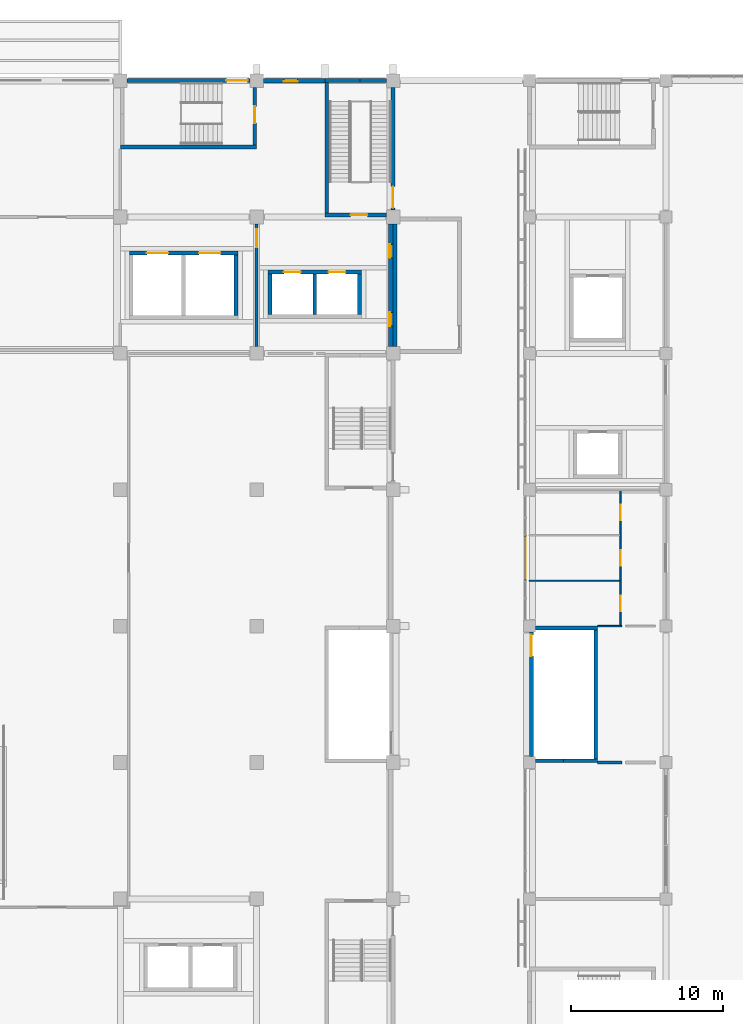
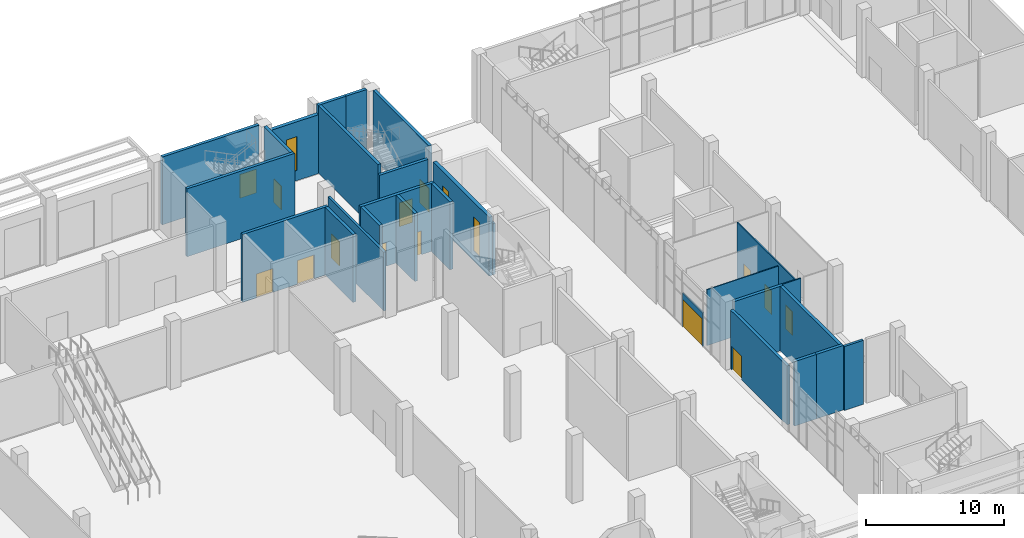
# One storey, part 55 of 86: 28 walls, 14 doors, 3 windows, 17 openings.
"""IFC4 building model written with IfcOpenShell, lengths in metres."""

from ifc_helpers import new_model, si_unit, direction, frame, frame_2d, origin, place, context, subcontext, project, spatial, rectangle, extrude, material, layer, layer_set, type_object, element, fill, save


model = new_model("IFC4")

# Units and contexts
model_context = context("Model", 3, precision=1e-05, world=origin(), true_north=direction((0.0, 1.0)))
body_context = subcontext(model_context, "Body", "Model", "MODEL_VIEW")
ifc_project = project(units=[si_unit("LENGTHUNIT", "METRE"), si_unit("AREAUNIT", "SQUARE_METRE"), si_unit("VOLUMEUNIT", "CUBIC_METRE"), si_unit("PLANEANGLEUNIT", "RADIAN"), si_unit("MASSUNIT", "GRAM", prefix="KILO")], contexts=[model_context])

# Site, building, storey
site_placement = place(None, origin())
site = spatial("IfcSite", under=ifc_project, at=site_placement, CompositionType="ELEMENT")
building_placement = place(site_placement, origin())
building = spatial("IfcBuilding", under=site, at=building_placement, Name="Guidao Yard Department Store", CompositionType="ELEMENT")
storey_placement = place(building_placement, origin())
storey = spatial("IfcBuildingStorey", under=building, at=storey_placement, Name="L00", CompositionType="ELEMENT", Elevation=0.0)

# Wall
ifc_material_1 = material(Name="Moisture-resistant board on Steel Q235 studs", Category="steel")
ifc_layer_1 = layer(ifc_material_1, 0.080078125)
ifc_layer_set_1 = layer_set([ifc_layer_1], Name="Cubicle and Duct Partition P8 80 mm moisture-resistant board")
wall_type_1 = type_object("IfcWallType", Name="Cubicle and Duct Partition P8 80 mm moisture-resistant board", PredefinedType="PARTITIONING", material=ifc_layer_set_1)
wall_1_placement = place(storey_placement, frame((72.0, 75.0, 0.0), z_axis=(0.0, 0.0, 1.0), x_axis=(1.0, 0.0, 0.0)))
element("IfcWall", 1, at=wall_1_placement, inside=storey, type_object=wall_type_1, Name="Wall W-AL00-015", PredefinedType="PARTITIONING", context=body_context, shape_type="SweptSolid", body=[
    extrude(rectangle(XDim=5.949951171875, YDim=0.080078125, at=frame_2d((2.97509765625, 0.0))), origin(), (0.0, 0.0, 1.0), 4.949951171875),
])

# Wall, opening, door
ifc_material_2 = material(Name="Concrete block MU10", Category="concrete")
ifc_layer_2 = layer(ifc_material_2, 0.199951171875)
ifc_layer_set_2 = layer_set([ifc_layer_2], Name="Fire Wall P3 200 mm blockwork EI 120")
wall_type_2 = type_object("IfcWallType", Name="Fire Wall P3 200 mm blockwork EI 120", PredefinedType="PARTITIONING", material=ifc_layer_set_2)
wall_2_placement = place(storey_placement, frame((54.0, 90.449951171875, 0.0), z_axis=(0.0, 0.0, 1.0), x_axis=(0.0, 1.0, 0.0)))
wall_2 = element("IfcWall", 2, at=wall_2_placement, inside=storey, type_object=wall_type_2, Name="Wall W-HL00-019", PredefinedType="PARTITIONING", context=body_context, shape_type="SweptSolid", body=[
    extrude(rectangle(XDim=8.10009765625, YDim=0.199951171875, at=frame_2d((4.050048828125, 0.0))), origin(), (0.0, 0.0, 1.0), 5.199951171875),
])
opening_1_placement = place(wall_2_placement, frame((7.75, 0.0, 0.0), z_axis=(0.0, 0.0, 1.0), x_axis=(-1.0, 0.0, 0.0)))
opening_1 = element("IfcOpeningElement", 3, at=opening_1_placement, cuts=wall_2, Name="Opening HL00-011", PredefinedType="OPENING", context=body_context, shape_type="SweptSolid", body=[
    extrude(rectangle(XDim=1.199951171875, YDim=2.10009765625, at=frame_2d((0.60009765625, 1.050048828125))), frame((0.0, 0.10986328125, 0.0), z_axis=(0.0, -1.0, 0.0), x_axis=(1.0, 0.0, 0.0)), (0.0, 0.0, 1.0), 0.219970703125),
])
ifc_material_3 = material(Name="Steel Q235", Category="steel")
door_type_1 = type_object("IfcDoorType", Name="Door FD21 lobby 1200 x 2100 FD90 self-closing", OperationType="SINGLE_SWING_LEFT", PredefinedType="DOOR", material=ifc_material_3)
door_1_placement = place(opening_1_placement, origin())
door_1 = element("IfcDoor", 4, at=door_1_placement, inside=storey, type_object=door_type_1, Name="Door HL00-011", OperationType="SINGLE_SWING_LEFT", OverallHeight=2.10009765625, OverallWidth=1.199951171875, PredefinedType="DOOR", context=body_context, shape_type="SweptSolid", body=[
    extrude(rectangle(XDim=1.199951171875, YDim=2.10009765625, at=frame_2d((0.60009765625, 1.050048828125))), frame((0.0, 0.02490234375, 0.0), z_axis=(0.0, -1.0, 0.0), x_axis=(1.0, 0.0, 0.0)), (0.0, 0.0, 1.0), 0.050048828125),
])
fill(opening_1, door_1)

ifc_material_4 = material(Name="Aluminium 6063-T5", Category="aluminium")
ifc_layer_3 = layer(ifc_material_4, 0.1201171875)
ifc_layer_set_3 = layer_set([ifc_layer_3], Name="Glazing frame wall 120")
wall_type_3 = type_object("IfcWallType", Name="Glazing frame wall 120", PredefinedType="STANDARD", material=ifc_layer_set_3)
wall_3_placement = place(storey_placement, frame((71.719970703125, 75.030029296875, 0.0), z_axis=(0.0, 0.0, 1.0), x_axis=(0.0, 1.0, 0.0)))
wall_3 = element("IfcWall", 5, at=wall_3_placement, inside=storey, type_object=wall_type_3, Name="Frame wall for Main entrance E5", PredefinedType="STANDARD", context=body_context, shape_type="SweptSolid", body=[
    extrude(rectangle(XDim=2.93994140625, YDim=0.1201171875, at=frame_2d((1.469970703125, 0.0))), origin(), (0.0, 0.0, 1.0), 2.969970703125),
])
opening_2_placement = place(wall_3_placement, frame((0.070068359375, 0.0, 0.0)))
opening_2 = element("IfcOpeningElement", 6, at=opening_2_placement, cuts=wall_3, Name="Opening L00-864", PredefinedType="OPENING", context=body_context, shape_type="SweptSolid", body=[
    extrude(rectangle(XDim=2.800048828125, YDim=2.39990234375, at=frame_2d((1.39990234375, 1.199951171875))), frame((0.0, 0.070068359375, 0.0), z_axis=(0.0, -1.0, 0.0), x_axis=(1.0, 0.0, 0.0)), (0.0, 0.0, 1.0), 0.14013671875),
])
ifc_material_5 = material(Name="Toughened glass in Aluminium 6063-T5 frame", Category="aluminium")
door_type_2 = type_object("IfcDoorType", Name="Entrance door ED1 2800 x 2400 glazed double leaf", OperationType="DOUBLE_DOOR_SINGLE_SWING", PredefinedType="DOOR", material=ifc_material_5)
door_2_placement = place(opening_2_placement, origin())
door_2 = element("IfcDoor", 7, at=door_2_placement, inside=storey, type_object=door_type_2, Name="Main entrance E5", OperationType="DOUBLE_DOOR_SINGLE_SWING", OverallHeight=2.39990234375, OverallWidth=2.800048828125, PredefinedType="DOOR", context=body_context, shape_type="SweptSolid", body=[
    extrude(rectangle(XDim=2.800048828125, YDim=2.39990234375, at=frame_2d((1.39990234375, 1.199951171875))), frame((0.0, 0.02490234375, 0.0), z_axis=(0.0, -1.0, 0.0), x_axis=(1.0, 0.0, 0.0)), (0.0, 0.0, 1.0), 0.050048828125),
])
fill(opening_2, door_2)

# Wall, opening, window
ifc_material_6 = material(Name="Concrete C35", Category="concrete")
ifc_layer_4 = layer(ifc_material_6, 0.300048828125)
ifc_layer_set_4 = layer_set([ifc_layer_4], Name="Hall facade wall 300 C35")
wall_type_4 = type_object("IfcWallType", Name="Hall facade wall 300 C35", PredefinedType="SOLIDWALL", material=ifc_layer_set_4)
wall_4_placement = place(storey_placement, frame((54.449951171875, 108.0, 0.0), z_axis=(0.0, 0.0, 1.0), x_axis=(1.0, 0.0, 0.0)))
wall_4 = element("IfcWall", 8, at=wall_4_placement, inside=storey, type_object=wall_type_4, Name="Hall facade wall", PredefinedType="SOLIDWALL", context=body_context, shape_type="SweptSolid", body=[
    extrude(rectangle(XDim=4.050048828125, YDim=0.300048828125, at=frame_2d((2.02490234375, 0.0))), origin(), (0.0, 0.0, 1.0), 5.199951171875),
])
opening_3_placement = place(wall_4_placement, frame((1.35009765625, 0.0, 0.89990234375)))
opening_3 = element("IfcOpeningElement", 9, at=opening_3_placement, cuts=wall_4, Name="Opening WN-L00-E07", PredefinedType="OPENING", context=body_context, shape_type="SweptSolid", body=[
    extrude(rectangle(XDim=0.89990234375, YDim=3.0, at=frame_2d((0.449951171875, 1.5))), frame((0.0, 0.159912109375, 0.0), z_axis=(0.0, -1.0, 0.0), x_axis=(1.0, 0.0, 0.0)), (0.0, 0.0, 1.0), 0.320068359375),
])
ifc_material_7 = material(Name="Laminated glass in aluminium frame", Category="aluminium")
window_type = type_object("IfcWindowType", Name="Slot window SL1 900 x 3000 fixed", PartitioningType="SINGLE_PANEL", PredefinedType="WINDOW", material=ifc_material_7)
window_1_placement = place(opening_3_placement, origin())
window_1 = element("IfcWindow", 10, at=window_1_placement, inside=storey, type_object=window_type, Name="Slot window", OverallHeight=3.0, OverallWidth=0.89990234375, PartitioningType="SINGLE_PANEL", PredefinedType="WINDOW", context=body_context, shape_type="SweptSolid", body=[
    extrude(rectangle(XDim=0.89990234375, YDim=3.0, at=frame_2d((0.449951171875, 1.5))), frame((0.0, -0.030029296875, 0.0), z_axis=(0.0, -1.0, 0.0), x_axis=(1.0, 0.0, 0.0)), (0.0, 0.0, 1.0), 0.06005859375),
])
fill(opening_3, window_1)

# Wall, openings, windows
wall_5_placement = place(storey_placement, frame((62.85009765625, 98.550048828125, 0.0), z_axis=(0.0, 0.0, 1.0), x_axis=(0.0, -1.0, 0.0)))
wall_5 = element("IfcWall", 11, at=wall_5_placement, inside=storey, type_object=wall_type_4, Name="Hall facade wall", PredefinedType="SOLIDWALL", context=body_context, shape_type="SweptSolid", body=[
    extrude(rectangle(XDim=8.10009765625, YDim=0.300048828125, at=frame_2d((4.050048828125, 0.0))), origin(), (0.0, 0.0, 1.0), 5.199951171875),
])
opening_4_placement = place(wall_5_placement, frame((5.85009765625, 0.0, 0.89990234375)))
opening_4 = element("IfcOpeningElement", 12, at=opening_4_placement, cuts=wall_5, Name="Opening WN-L00-E08", PredefinedType="OPENING", context=body_context, shape_type="SweptSolid", body=[
    extrude(rectangle(XDim=0.89990234375, YDim=3.0, at=frame_2d((0.449951171875, 1.5))), frame((0.0, 0.159912109375, 0.0), z_axis=(0.0, -1.0, 0.0), x_axis=(1.0, 0.0, 0.0)), (0.0, 0.0, 1.0), 0.320068359375),
])
opening_5_placement = place(wall_5_placement, frame((1.35009765625, 0.0, 0.89990234375)))
opening_5 = element("IfcOpeningElement", 13, at=opening_5_placement, cuts=wall_5, Name="Opening WN-L00-E09", PredefinedType="OPENING", context=body_context, shape_type="SweptSolid", body=[
    extrude(rectangle(XDim=0.89990234375, YDim=3.0, at=frame_2d((0.449951171875, 1.5))), frame((0.0, 0.159912109375, 0.0), z_axis=(0.0, -1.0, 0.0), x_axis=(1.0, 0.0, 0.0)), (0.0, 0.0, 1.0), 0.320068359375),
])
window_2_placement = place(opening_4_placement, origin())
window_2 = element("IfcWindow", 14, at=window_2_placement, inside=storey, type_object=window_type, Name="Slot window", OverallHeight=3.0, OverallWidth=0.89990234375, PartitioningType="SINGLE_PANEL", PredefinedType="WINDOW", context=body_context, shape_type="SweptSolid", body=[
    extrude(rectangle(XDim=0.89990234375, YDim=3.0, at=frame_2d((0.449951171875, 1.5))), frame((0.0, -0.030029296875, 0.0), z_axis=(0.0, -1.0, 0.0), x_axis=(1.0, 0.0, 0.0)), (0.0, 0.0, 1.0), 0.06005859375),
])
fill(opening_4, window_2)
window_3_placement = place(opening_5_placement, origin())
window_3 = element("IfcWindow", 15, at=window_3_placement, inside=storey, type_object=window_type, Name="Slot window", OverallHeight=3.0, OverallWidth=0.89990234375, PartitioningType="SINGLE_PANEL", PredefinedType="WINDOW", context=body_context, shape_type="SweptSolid", body=[
    extrude(rectangle(XDim=0.89990234375, YDim=3.0, at=frame_2d((0.449951171875, 1.5))), frame((0.0, -0.030029296875, 0.0), z_axis=(0.0, -1.0, 0.0), x_axis=(1.0, 0.0, 0.0)), (0.0, 0.0, 1.0), 0.06005859375),
])
fill(opening_5, window_3)

# Wall
ifc_material_8 = material(Name="Gypsum board on Steel Q235 studs", Category="steel")
ifc_layer_5 = layer(ifc_material_8, 0.10009765625)
ifc_layer_set_5 = layer_set([ifc_layer_5], Name="Partition P1 100 mm gypsum board EI 30")
wall_type_5 = type_object("IfcWallType", Name="Partition P1 100 mm gypsum board EI 30", PredefinedType="PARTITIONING", material=ifc_layer_set_5)
wall_6_placement = place(storey_placement, frame((76.5, 72.0, 0.0), z_axis=(0.0, 0.0, 1.0), x_axis=(1.0, 0.0, 0.0)))
element("IfcWall", 16, at=wall_6_placement, inside=storey, type_object=wall_type_5, Name="Wall W-AL00-010", PredefinedType="PARTITIONING", context=body_context, shape_type="SweptSolid", body=[
    extrude(rectangle(XDim=1.60009765625, YDim=0.10009765625, at=frame_2d((0.800048828125, 0.0))), origin(), (0.0, 0.0, 1.0), 5.64990234375),
])

# Wall, openings, doors
wall_7_placement = place(storey_placement, frame((78.0, 72.050048828125, 0.0), z_axis=(0.0, 0.0, 1.0), x_axis=(0.0, 1.0, 0.0)))
wall_7 = element("IfcWall", 17, at=wall_7_placement, inside=storey, type_object=wall_type_5, Name="Wall W-AL00-012", PredefinedType="PARTITIONING", context=body_context, shape_type="SweptSolid", body=[
    extrude(rectangle(XDim=8.89990234375, YDim=0.10009765625, at=frame_2d((4.449951171875, 0.0))), origin(), (0.0, 0.0, 1.0), 5.199951171875),
])
opening_6_placement = place(wall_7_placement, frame((0.949951171875, 0.0, 0.0)))
opening_6 = element("IfcOpeningElement", 18, at=opening_6_placement, cuts=wall_7, Name="Opening AL00-004", PredefinedType="OPENING", context=body_context, shape_type="SweptSolid", body=[
    extrude(rectangle(XDim=1.0, YDim=2.10009765625, at=frame_2d((0.5, 1.050048828125))), frame((0.0, 0.06005859375, 0.0), z_axis=(0.0, -1.0, 0.0), x_axis=(1.0, 0.0, 0.0)), (0.0, 0.0, 1.0), 0.1201171875),
])
opening_7_placement = place(wall_7_placement, frame((3.949951171875, 0.0, 0.0)))
opening_7 = element("IfcOpeningElement", 19, at=opening_7_placement, cuts=wall_7, Name="Opening AL00-005", PredefinedType="OPENING", context=body_context, shape_type="SweptSolid", body=[
    extrude(rectangle(XDim=1.0, YDim=2.10009765625, at=frame_2d((0.5, 1.050048828125))), frame((0.0, 0.06005859375, 0.0), z_axis=(0.0, -1.0, 0.0), x_axis=(1.0, 0.0, 0.0)), (0.0, 0.0, 1.0), 0.1201171875),
])
opening_8_placement = place(wall_7_placement, frame((6.949951171875, 0.0, 0.0)))
opening_8 = element("IfcOpeningElement", 20, at=opening_8_placement, cuts=wall_7, Name="Opening AL00-007", PredefinedType="OPENING", context=body_context, shape_type="SweptSolid", body=[
    extrude(rectangle(XDim=1.0, YDim=2.10009765625, at=frame_2d((0.5, 1.050048828125))), frame((0.0, 0.06005859375, 0.0), z_axis=(0.0, -1.0, 0.0), x_axis=(1.0, 0.0, 0.0)), (0.0, 0.0, 1.0), 0.1201171875),
])
ifc_material_9 = material(Name="Timber door leaf", Category="wood")
door_type_3 = type_object("IfcDoorType", Name="Door AD10 accessible WC 1000 x 2100", OperationType="SINGLE_SWING_LEFT", PredefinedType="DOOR", material=ifc_material_9)
door_3_placement = place(opening_7_placement, origin())
door_3 = element("IfcDoor", 21, at=door_3_placement, inside=storey, type_object=door_type_3, Name="Door AL00-005", OperationType="SINGLE_SWING_LEFT", OverallHeight=2.10009765625, OverallWidth=1.0, PredefinedType="DOOR", context=body_context, shape_type="SweptSolid", body=[
    extrude(rectangle(XDim=1.0, YDim=2.10009765625, at=frame_2d((0.5, 1.050048828125))), frame((0.0, 0.02490234375, 0.0), z_axis=(0.0, -1.0, 0.0), x_axis=(1.0, 0.0, 0.0)), (0.0, 0.0, 1.0), 0.050048828125),
])
fill(opening_7, door_3)
ifc_material_10 = material(Name="Timber door leaf", Category="wood")
door_type_4 = type_object("IfcDoorType", Name="Door D2 1000 x 2100", OperationType="SINGLE_SWING_LEFT", PredefinedType="DOOR", material=ifc_material_10)
door_4_placement = place(opening_6_placement, origin())
door_4 = element("IfcDoor", 22, at=door_4_placement, inside=storey, type_object=door_type_4, Name="Door AL00-004", OperationType="SINGLE_SWING_LEFT", OverallHeight=2.10009765625, OverallWidth=1.0, PredefinedType="DOOR", context=body_context, shape_type="SweptSolid", body=[
    extrude(rectangle(XDim=1.0, YDim=2.10009765625, at=frame_2d((0.5, 1.050048828125))), frame((0.0, 0.02490234375, 0.0), z_axis=(0.0, -1.0, 0.0), x_axis=(1.0, 0.0, 0.0)), (0.0, 0.0, 1.0), 0.050048828125),
])
fill(opening_6, door_4)
door_5_placement = place(opening_8_placement, origin())
door_5 = element("IfcDoor", 23, at=door_5_placement, inside=storey, type_object=door_type_4, Name="Door AL00-007", OperationType="SINGLE_SWING_RIGHT", OverallHeight=2.10009765625, OverallWidth=1.0, PredefinedType="DOOR", context=body_context, shape_type="SweptSolid", body=[
    extrude(rectangle(XDim=1.0, YDim=2.10009765625, at=frame_2d((0.5, 1.050048828125))), frame((0.0, 0.02490234375, 0.0), z_axis=(0.0, -1.0, 0.0), x_axis=(1.0, 0.0, 0.0)), (0.0, 0.0, 1.0), 0.050048828125),
])
fill(opening_8, door_5)

# Walls
ifc_material_11 = material(Name="Concrete block MU10", Category="concrete")
ifc_layer_6 = layer(ifc_material_11, 0.199951171875)
ifc_layer_set_6 = layer_set([ifc_layer_6], Name="Shopfront Wall P4 200 mm blockwork EI 60")
wall_type_6 = type_object("IfcWallType", Name="Shopfront Wall P4 200 mm blockwork EI 60", PredefinedType="PARTITIONING", material=ifc_layer_set_6)
wall_8_placement = place(storey_placement, frame((76.5, 63.0, 0.0), z_axis=(0.0, 0.0, 1.0), x_axis=(1.0, 0.0, 0.0)))
element("IfcWall", 24, at=wall_8_placement, inside=storey, type_object=wall_type_6, Name="Wall W-AL00-005", PredefinedType="PARTITIONING", context=body_context, shape_type="SweptSolid", body=[
    extrude(rectangle(XDim=1.60009765625, YDim=0.199951171875, at=frame_2d((0.800048828125, 0.0))), origin(), (0.0, 0.0, 1.0), 5.64990234375),
])
ifc_material_12 = material(Name="Concrete C40", Category="concrete")
ifc_layer_7 = layer(ifc_material_12, 0.25)
ifc_layer_set_7 = layer_set([ifc_layer_7], Name="Wall RC 250 C40 stair and shaft")
wall_type_7 = type_object("IfcWallType", Name="Wall RC 250 C40 stair and shaft", PredefinedType="SHEAR", material=ifc_layer_set_7)
wall_9_placement = place(storey_placement, frame((72.39990234375, 63.125, 0.0), z_axis=(0.0, 0.0, 1.0), x_axis=(1.0, 0.0, 0.0)))
element("IfcWall", 25, at=wall_9_placement, inside=storey, type_object=wall_type_7, Name="Stair wall BSG1", PredefinedType="SHEAR", context=body_context, shape_type="SweptSolid", body=[
    extrude(rectangle(XDim=1.85009765625, YDim=0.25, at=frame_2d((0.925048828125, 0.0))), origin(), (0.0, 0.0, 1.0), 5.699951171875),
])
wall_10_placement = place(storey_placement, frame((74.25, 63.125, 0.0), z_axis=(0.0, 0.0, 1.0), x_axis=(1.0, 0.0, 0.0)))
element("IfcWall", 26, at=wall_10_placement, inside=storey, type_object=wall_type_7, Name="Stair wall BSG1", PredefinedType="SHEAR", context=body_context, shape_type="SweptSolid", body=[
    extrude(rectangle(XDim=2.25, YDim=0.25, at=frame_2d((1.125, 0.0))), origin(), (0.0, 0.0, 1.0), 5.699951171875),
])
wall_11_placement = place(storey_placement, frame((72.39990234375, 71.875, 0.0), z_axis=(0.0, 0.0, 1.0), x_axis=(1.0, 0.0, 0.0)))
element("IfcWall", 27, at=wall_11_placement, inside=storey, type_object=wall_type_7, Name="Stair wall BSG1", PredefinedType="SHEAR", context=body_context, shape_type="SweptSolid", body=[
    extrude(rectangle(XDim=4.10009765625, YDim=0.25, at=frame_2d((2.050048828125, 0.0))), origin(), (0.0, 0.0, 1.0), 5.699951171875),
])

# Wall, opening, door
wall_12_placement = place(storey_placement, frame((72.125, 63.39990234375, 0.0), z_axis=(0.0, 0.0, 1.0), x_axis=(0.0, 1.0, 0.0)))
wall_12 = element("IfcWall", 28, at=wall_12_placement, inside=storey, type_object=wall_type_7, Name="Stair wall BSG1", PredefinedType="SHEAR", context=body_context, shape_type="SweptSolid", body=[
    extrude(rectangle(XDim=8.2001953125, YDim=0.25, at=frame_2d((4.10009765625, 0.0))), origin(), (0.0, 0.0, 1.0), 5.199951171875),
])
opening_9_placement = place(wall_12_placement, frame((6.625, 0.0, 0.0)))
opening_9 = element("IfcOpeningElement", 29, at=opening_9_placement, cuts=wall_12, Name="Opening L00-800", PredefinedType="OPENING", context=body_context, shape_type="SweptSolid", body=[
    extrude(rectangle(XDim=1.39990234375, YDim=2.10009765625, at=frame_2d((0.699951171875, 1.050048828125))), frame((0.0, 0.135009765625, 0.0), z_axis=(0.0, -1.0, 0.0), x_axis=(1.0, 0.0, 0.0)), (0.0, 0.0, 1.0), 0.27001953125),
])
ifc_material_13 = material(Name="Steel Q235", Category="steel")
door_type_5 = type_object("IfcDoorType", Name="Door fire-resisting 1400 x 2100 FD60", OperationType="DOUBLE_DOOR_SINGLE_SWING", PredefinedType="DOOR", material=ifc_material_13)
door_6_placement = place(opening_9_placement, origin())
door_6 = element("IfcDoor", 30, at=door_6_placement, inside=storey, type_object=door_type_5, Name="Basement stair G1 door L00 discharge", OperationType="DOUBLE_DOOR_SINGLE_SWING", OverallHeight=2.10009765625, OverallWidth=1.39990234375, PredefinedType="DOOR", context=body_context, shape_type="SweptSolid", body=[
    extrude(rectangle(XDim=1.39990234375, YDim=2.10009765625, at=frame_2d((0.699951171875, 1.050048828125))), frame((0.0, 0.02490234375, 0.0), z_axis=(0.0, -1.0, 0.0), x_axis=(1.0, 0.0, 0.0)), (0.0, 0.0, 1.0), 0.050048828125),
])
fill(opening_9, door_6)

# Walls
wall_13_placement = place(storey_placement, frame((76.375, 63.25, 0.0), z_axis=(0.0, 0.0, 1.0), x_axis=(0.0, 1.0, 0.0)))
element("IfcWall", 31, at=wall_13_placement, inside=storey, type_object=wall_type_7, Name="Stair wall BSG1", PredefinedType="SHEAR", context=body_context, shape_type="SweptSolid", body=[
    extrude(rectangle(XDim=8.5, YDim=0.25, at=frame_2d((4.25, 0.0))), origin(), (0.0, 0.0, 1.0), 5.699951171875),
])
wall_14_placement = place(storey_placement, frame((63.125, 90.449951171875, 0.0), z_axis=(0.0, 0.0, 1.0), x_axis=(0.0, 1.0, 0.0)))
element("IfcWall", 32, at=wall_14_placement, inside=storey, type_object=wall_type_7, Name="Stair wall BSH2", PredefinedType="SHEAR", context=body_context, shape_type="SweptSolid", body=[
    extrude(rectangle(XDim=8.10009765625, YDim=0.25, at=frame_2d((4.050048828125, 0.0))), origin(), (0.0, 0.0, 1.0), 4.5),
])

# Wall, opening, door
wall_15_placement = place(storey_placement, frame((58.5, 99.125, 0.0), z_axis=(0.0, 0.0, 1.0), x_axis=(1.0, 0.0, 0.0)))
wall_15 = element("IfcWall", 33, at=wall_15_placement, inside=storey, type_object=wall_type_7, Name="Stair wall SA6", PredefinedType="SHEAR", context=body_context, shape_type="SweptSolid", body=[
    extrude(rectangle(XDim=4.050048828125, YDim=0.25, at=frame_2d((2.02490234375, 0.0))), origin(), (0.0, 0.0, 1.0), 5.199951171875),
])
opening_10_placement = place(wall_15_placement, frame((1.699951171875, 0.0, 0.0)))
opening_10 = element("IfcOpeningElement", 34, at=opening_10_placement, cuts=wall_15, Name="Opening L00-818", PredefinedType="OPENING", context=body_context, shape_type="SweptSolid", body=[
    extrude(rectangle(XDim=1.10009765625, YDim=2.10009765625, at=frame_2d((0.550048828125, 1.050048828125))), frame((0.0, 0.135009765625, 0.0), z_axis=(0.0, -1.0, 0.0), x_axis=(1.0, 0.0, 0.0)), (0.0, 0.0, 1.0), 0.27001953125),
])
ifc_material_14 = material(Name="Steel Q235", Category="steel")
door_type_6 = type_object("IfcDoorType", Name="Door fire-resisting 1100 x 2100 FD60", OperationType="SINGLE_SWING_LEFT", PredefinedType="DOOR", material=ifc_material_14)
door_7_placement = place(opening_10_placement, origin())
door_7 = element("IfcDoor", 35, at=door_7_placement, inside=storey, type_object=door_type_6, Name="Stair A6 door L00", OperationType="SINGLE_SWING_RIGHT", OverallHeight=2.10009765625, OverallWidth=1.10009765625, PredefinedType="DOOR", context=body_context, shape_type="SweptSolid", body=[
    extrude(rectangle(XDim=1.10009765625, YDim=2.10009765625, at=frame_2d((0.550048828125, 1.050048828125))), frame((0.0, 0.02490234375, 0.0), z_axis=(0.0, -1.0, 0.0), x_axis=(1.0, 0.0, 0.0)), (0.0, 0.0, 1.0), 0.050048828125),
])
fill(opening_10, door_7)

# Walls
wall_16_placement = place(storey_placement, frame((58.5, 108.0, 0.0), z_axis=(0.0, 0.0, 1.0), x_axis=(1.0, 0.0, 0.0)))
element("IfcWall", 36, at=wall_16_placement, inside=storey, type_object=wall_type_7, Name="Stair wall SA6", PredefinedType="SHEAR", context=body_context, shape_type="SweptSolid", body=[
    extrude(rectangle(XDim=2.31201171875, YDim=0.25, at=frame_2d((1.156005859375, 0.0))), origin(), (0.0, 0.0, 1.0), 6.0),
])
wall_17_placement = place(storey_placement, frame((60.81201171875, 108.0, 0.0), z_axis=(0.0, 0.0, 1.0), x_axis=(1.0, 0.0, 0.0)))
element("IfcWall", 37, at=wall_17_placement, inside=storey, type_object=wall_type_7, Name="Stair wall SA6", PredefinedType="SHEAR", context=body_context, shape_type="SweptSolid", body=[
    extrude(rectangle(XDim=1.738037109375, YDim=0.25, at=frame_2d((0.869140625, 0.0))), origin(), (0.0, 0.0, 1.0), 6.0),
])
wall_18_placement = place(storey_placement, frame((58.625, 99.25, 0.0), z_axis=(0.0, 0.0, 1.0), x_axis=(0.0, 1.0, 0.0)))
element("IfcWall", 38, at=wall_18_placement, inside=storey, type_object=wall_type_7, Name="Stair wall SA6", PredefinedType="SHEAR", context=body_context, shape_type="SweptSolid", body=[
    extrude(rectangle(XDim=8.625, YDim=0.25, at=frame_2d((4.3125, 0.0))), origin(), (0.0, 0.0, 1.0), 6.0),
])

# Wall, opening, door
wall_19_placement = place(storey_placement, frame((63.0, 99.449951171875, 0.0), z_axis=(0.0, 0.0, 1.0), x_axis=(0.0, 1.0, 0.0)))
wall_19 = element("IfcWall", 39, at=wall_19_placement, inside=storey, type_object=wall_type_7, Name="Stair wall SA6", PredefinedType="SHEAR", context=body_context, shape_type="SweptSolid", body=[
    extrude(rectangle(XDim=8.10009765625, YDim=0.25, at=frame_2d((4.050048828125, 0.0))), origin(), (0.0, 0.0, 1.0), 6.0),
])
opening_11_placement = place(wall_19_placement, frame((1.5498046875, 0.0, 0.0), z_axis=(0.0, 0.0, 1.0), x_axis=(-1.0, 0.0, 0.0)))
opening_11 = element("IfcOpeningElement", 40, at=opening_11_placement, cuts=wall_19, Name="Opening L00-819", PredefinedType="OPENING", context=body_context, shape_type="SweptSolid", body=[
    extrude(rectangle(XDim=1.39990234375, YDim=2.10009765625, at=frame_2d((0.699951171875, 1.050048828125))), frame((0.0, 0.135009765625, 0.0), z_axis=(0.0, -1.0, 0.0), x_axis=(1.0, 0.0, 0.0)), (0.0, 0.0, 1.0), 0.27001953125),
])
door_8_placement = place(opening_11_placement, origin())
door_8 = element("IfcDoor", 41, at=door_8_placement, inside=storey, type_object=door_type_5, Name="Stair A6 door L00 discharge", OperationType="DOUBLE_DOOR_SINGLE_SWING", OverallHeight=2.10009765625, OverallWidth=1.39990234375, PredefinedType="DOOR", context=body_context, shape_type="SweptSolid", body=[
    extrude(rectangle(XDim=1.39990234375, YDim=2.10009765625, at=frame_2d((0.699951171875, 1.050048828125))), frame((0.0, 0.02490234375, 0.0), z_axis=(0.0, -1.0, 0.0), x_axis=(1.0, 0.0, 0.0)), (0.0, 0.0, 1.0), 0.050048828125),
])
fill(opening_11, door_8)

# Wall
wall_20_placement = place(storey_placement, frame((45.0, 103.625, 0.0), z_axis=(0.0, 0.0, 1.0), x_axis=(1.0, 0.0, 0.0)))
element("IfcWall", 42, at=wall_20_placement, inside=storey, type_object=wall_type_7, Name="Stair wall SA7", PredefinedType="SHEAR", context=body_context, shape_type="SweptSolid", body=[
    extrude(rectangle(XDim=9.0, YDim=0.25, at=frame_2d((4.5, 0.0))), origin(), (0.0, 0.0, 1.0), 6.0),
])

# Wall, opening, door
wall_21_placement = place(storey_placement, frame((45.449951171875, 108.0, 0.0), z_axis=(0.0, 0.0, 1.0), x_axis=(1.0, 0.0, 0.0)))
wall_21 = element("IfcWall", 43, at=wall_21_placement, inside=storey, type_object=wall_type_7, Name="Stair wall SA7", PredefinedType="SHEAR", context=body_context, shape_type="SweptSolid", body=[
    extrude(rectangle(XDim=8.10009765625, YDim=0.25, at=frame_2d((4.050048828125, 0.0))), origin(), (0.0, 0.0, 1.0), 6.0),
])
opening_12_placement = place(wall_21_placement, frame((6.550048828125, 0.0, 0.0)))
opening_12 = element("IfcOpeningElement", 44, at=opening_12_placement, cuts=wall_21, Name="Opening L00-821", PredefinedType="OPENING", context=body_context, shape_type="SweptSolid", body=[
    extrude(rectangle(XDim=1.39990234375, YDim=2.10009765625, at=frame_2d((0.699951171875, 1.050048828125))), frame((0.0, 0.135009765625, 0.0), z_axis=(0.0, -1.0, 0.0), x_axis=(1.0, 0.0, 0.0)), (0.0, 0.0, 1.0), 0.27001953125),
])
door_9_placement = place(opening_12_placement, origin())
door_9 = element("IfcDoor", 45, at=door_9_placement, inside=storey, type_object=door_type_5, Name="Stair A7 door L00 discharge", OperationType="DOUBLE_DOOR_SINGLE_SWING", OverallHeight=2.10009765625, OverallWidth=1.39990234375, PredefinedType="DOOR", context=body_context, shape_type="SweptSolid", body=[
    extrude(rectangle(XDim=1.39990234375, YDim=2.10009765625, at=frame_2d((0.699951171875, 1.050048828125))), frame((0.0, 0.02490234375, 0.0), z_axis=(0.0, -1.0, 0.0), x_axis=(1.0, 0.0, 0.0)), (0.0, 0.0, 1.0), 0.050048828125),
])
fill(opening_12, door_9)

wall_22_placement = place(storey_placement, frame((53.875, 103.75, 0.0), z_axis=(0.0, 0.0, 1.0), x_axis=(0.0, 1.0, 0.0)))
wall_22 = element("IfcWall", 46, at=wall_22_placement, inside=storey, type_object=wall_type_7, Name="Stair wall SA7", PredefinedType="SHEAR", context=body_context, shape_type="SweptSolid", body=[
    extrude(rectangle(XDim=3.800048828125, YDim=0.25, at=frame_2d((1.89990234375, 0.0))), origin(), (0.0, 0.0, 1.0), 6.0),
])
opening_13_placement = place(wall_22_placement, frame((1.449951171875, 0.0, 0.0)))
opening_13 = element("IfcOpeningElement", 47, at=opening_13_placement, cuts=wall_22, Name="Opening L00-820", PredefinedType="OPENING", context=body_context, shape_type="SweptSolid", body=[
    extrude(rectangle(XDim=1.10009765625, YDim=2.10009765625, at=frame_2d((0.550048828125, 1.050048828125))), frame((0.0, 0.135009765625, 0.0), z_axis=(0.0, -1.0, 0.0), x_axis=(1.0, 0.0, 0.0)), (0.0, 0.0, 1.0), 0.27001953125),
])
door_10_placement = place(opening_13_placement, origin())
door_10 = element("IfcDoor", 48, at=door_10_placement, inside=storey, type_object=door_type_6, Name="Stair A7 door L00", OperationType="SINGLE_SWING_RIGHT", OverallHeight=2.10009765625, OverallWidth=1.10009765625, PredefinedType="DOOR", context=body_context, shape_type="SweptSolid", body=[
    extrude(rectangle(XDim=1.10009765625, YDim=2.10009765625, at=frame_2d((0.550048828125, 1.050048828125))), frame((0.0, 0.02490234375, 0.0), z_axis=(0.0, -1.0, 0.0), x_axis=(1.0, 0.0, 0.0)), (0.0, 0.0, 1.0), 0.050048828125),
])
fill(opening_13, door_10)

# Wall, openings, doors
wall_23_placement = place(storey_placement, frame((45.60009765625, 96.625, 0.0), z_axis=(0.0, 0.0, 1.0), x_axis=(1.0, 0.0, 0.0)))
wall_23 = element("IfcWall", 49, at=wall_23_placement, inside=storey, type_object=wall_type_7, Name="Lift shaft wall HG1 to HG2", PredefinedType="SHEAR", context=body_context, shape_type="SweptSolid", body=[
    extrude(rectangle(XDim=7.14990234375, YDim=0.25, at=frame_2d((3.574951171875, 0.0))), origin(), (0.0, 0.0, 1.0), 6.0),
])
opening_14_placement = place(wall_23_placement, frame((1.14990234375, 0.0, 0.0)))
opening_14 = element("IfcOpeningElement", 50, at=opening_14_placement, cuts=wall_23, Name="Opening LD-HG1-L00", PredefinedType="OPENING", context=body_context, shape_type="SweptSolid", body=[
    extrude(rectangle(XDim=1.39990234375, YDim=2.10009765625, at=frame_2d((0.699951171875, 1.050048828125))), frame((0.0, 0.135009765625, 0.0), z_axis=(0.0, -1.0, 0.0), x_axis=(1.0, 0.0, 0.0)), (0.0, 0.0, 1.0), 0.27001953125),
])
opening_15_placement = place(wall_23_placement, frame((4.60009765625, 0.0, 0.0)))
opening_15 = element("IfcOpeningElement", 51, at=opening_15_placement, cuts=wall_23, Name="Opening LD-HG2-L00", PredefinedType="OPENING", context=body_context, shape_type="SweptSolid", body=[
    extrude(rectangle(XDim=1.39990234375, YDim=2.10009765625, at=frame_2d((0.699951171875, 1.050048828125))), frame((0.0, 0.135009765625, 0.0), z_axis=(0.0, -1.0, 0.0), x_axis=(1.0, 0.0, 0.0)), (0.0, 0.0, 1.0), 0.27001953125),
])
ifc_material_15 = material(Name="Stainless steel 06Cr19Ni10", Category="steel")
door_type_7 = type_object("IfcDoorType", Name="Lift landing door fire-resisting sliding 1400 x 2100", OperationType="DOUBLE_DOOR_SLIDING", PredefinedType="DOOR", material=ifc_material_15)
door_11_placement = place(opening_14_placement, origin())
door_11 = element("IfcDoor", 52, at=door_11_placement, inside=storey, type_object=door_type_7, Name="Lift landing door HG1 L00", OperationType="DOUBLE_DOOR_SLIDING", OverallHeight=2.10009765625, OverallWidth=1.39990234375, PredefinedType="DOOR", context=body_context, shape_type="SweptSolid", body=[
    extrude(rectangle(XDim=1.39990234375, YDim=2.10009765625, at=frame_2d((0.699951171875, 1.050048828125))), frame((0.0, 0.02490234375, 0.0), z_axis=(0.0, -1.0, 0.0), x_axis=(1.0, 0.0, 0.0)), (0.0, 0.0, 1.0), 0.050048828125),
])
fill(opening_14, door_11)
door_12_placement = place(opening_15_placement, origin())
door_12 = element("IfcDoor", 53, at=door_12_placement, inside=storey, type_object=door_type_7, Name="Lift landing door HG2 L00", OperationType="DOUBLE_DOOR_SLIDING", OverallHeight=2.10009765625, OverallWidth=1.39990234375, PredefinedType="DOOR", context=body_context, shape_type="SweptSolid", body=[
    extrude(rectangle(XDim=1.39990234375, YDim=2.10009765625, at=frame_2d((0.699951171875, 1.050048828125))), frame((0.0, 0.02490234375, 0.0), z_axis=(0.0, -1.0, 0.0), x_axis=(1.0, 0.0, 0.0)), (0.0, 0.0, 1.0), 0.050048828125),
])
fill(opening_15, door_12)

# Wall
wall_24_placement = place(storey_placement, frame((52.625, 92.5, 0.0), z_axis=(0.0, 0.0, 1.0), x_axis=(0.0, 1.0, 0.0)))
element("IfcWall", 54, at=wall_24_placement, inside=storey, type_object=wall_type_7, Name="Lift shaft wall HG1 to HG2", PredefinedType="SHEAR", context=body_context, shape_type="SweptSolid", body=[
    extrude(rectangle(XDim=4.0, YDim=0.25, at=frame_2d((2.0, 0.0))), origin(), (0.0, 0.0, 1.0), 6.0),
])

# Wall, openings, doors
wall_25_placement = place(storey_placement, frame((54.75, 95.375, 0.0), z_axis=(0.0, 0.0, 1.0), x_axis=(1.0, 0.0, 0.0)))
wall_25 = element("IfcWall", 55, at=wall_25_placement, inside=storey, type_object=wall_type_7, Name="Lift shaft wall HF1 to HF2", PredefinedType="SHEAR", context=body_context, shape_type="SweptSolid", body=[
    extrude(rectangle(XDim=6.14990234375, YDim=0.25, at=frame_2d((3.074951171875, 0.0))), origin(), (0.0, 0.0, 1.0), 6.0),
])
opening_16_placement = place(wall_25_placement, frame((1.050048828125, 0.0, 0.0)))
opening_16 = element("IfcOpeningElement", 56, at=opening_16_placement, cuts=wall_25, Name="Opening LD-HF1-L00", PredefinedType="OPENING", context=body_context, shape_type="SweptSolid", body=[
    extrude(rectangle(XDim=1.10009765625, YDim=2.10009765625, at=frame_2d((0.550048828125, 1.050048828125))), frame((0.0, 0.135009765625, 0.0), z_axis=(0.0, -1.0, 0.0), x_axis=(1.0, 0.0, 0.0)), (0.0, 0.0, 1.0), 0.27001953125),
])
opening_17_placement = place(wall_25_placement, frame((4.0, 0.0, 0.0)))
opening_17 = element("IfcOpeningElement", 57, at=opening_17_placement, cuts=wall_25, Name="Opening LD-HF2-L00", PredefinedType="OPENING", context=body_context, shape_type="SweptSolid", body=[
    extrude(rectangle(XDim=1.10009765625, YDim=2.10009765625, at=frame_2d((0.550048828125, 1.050048828125))), frame((0.0, 0.135009765625, 0.0), z_axis=(0.0, -1.0, 0.0), x_axis=(1.0, 0.0, 0.0)), (0.0, 0.0, 1.0), 0.27001953125),
])
ifc_material_16 = material(Name="Stainless steel 06Cr19Ni10", Category="steel")
door_type_8 = type_object("IfcDoorType", Name="Lift landing door fire-resisting sliding 1100 x 2100", OperationType="DOUBLE_DOOR_SLIDING", PredefinedType="DOOR", material=ifc_material_16)
door_13_placement = place(opening_16_placement, origin())
door_13 = element("IfcDoor", 58, at=door_13_placement, inside=storey, type_object=door_type_8, Name="Lift landing door HF1 L00", OperationType="DOUBLE_DOOR_SLIDING", OverallHeight=2.10009765625, OverallWidth=1.10009765625, PredefinedType="DOOR", context=body_context, shape_type="SweptSolid", body=[
    extrude(rectangle(XDim=1.10009765625, YDim=2.10009765625, at=frame_2d((0.550048828125, 1.050048828125))), frame((0.0, 0.02490234375, 0.0), z_axis=(0.0, -1.0, 0.0), x_axis=(1.0, 0.0, 0.0)), (0.0, 0.0, 1.0), 0.050048828125),
])
fill(opening_16, door_13)
door_14_placement = place(opening_17_placement, origin())
door_14 = element("IfcDoor", 59, at=door_14_placement, inside=storey, type_object=door_type_8, Name="Lift landing door HF2 L00", OperationType="DOUBLE_DOOR_SLIDING", OverallHeight=2.10009765625, OverallWidth=1.10009765625, PredefinedType="DOOR", context=body_context, shape_type="SweptSolid", body=[
    extrude(rectangle(XDim=1.10009765625, YDim=2.10009765625, at=frame_2d((0.550048828125, 1.050048828125))), frame((0.0, 0.02490234375, 0.0), z_axis=(0.0, -1.0, 0.0), x_axis=(1.0, 0.0, 0.0)), (0.0, 0.0, 1.0), 0.050048828125),
])
fill(opening_17, door_14)

# Walls
for number, where, z_axis, x_axis, name in (
    (60, (54.875, 92.550048828125, 0.0), (0.0, 0.0, 1.0), (0.0, 1.0, 0.0), "Lift shaft wall HF1 to HF2"),
    (61, (57.824951171875, 92.550048828125, 0.0), (0.0, 0.0, 1.0), (0.0, 1.0, 0.0), "Lift shaft wall HF1 to HF2"),
    (62, (60.77490234375, 92.550048828125, 0.0), (0.0, 0.0, 1.0), (0.0, 1.0, 0.0), "Lift shaft wall HF1 to HF2"),
):
    element("IfcWall", number, at=place(storey_placement, frame(where, z_axis=z_axis, x_axis=x_axis)), inside=storey, type_object=wall_type_7, Name=name, PredefinedType="SHEAR", context=body_context, shape_type="SweptSolid", body=[
        extrude(rectangle(XDim=2.699951171875, YDim=0.25, at=frame_2d((1.35009765625, 0.0))), origin(), (0.0, 0.0, 1.0), 6.0),
    ])

save(model, "model.ifc")
